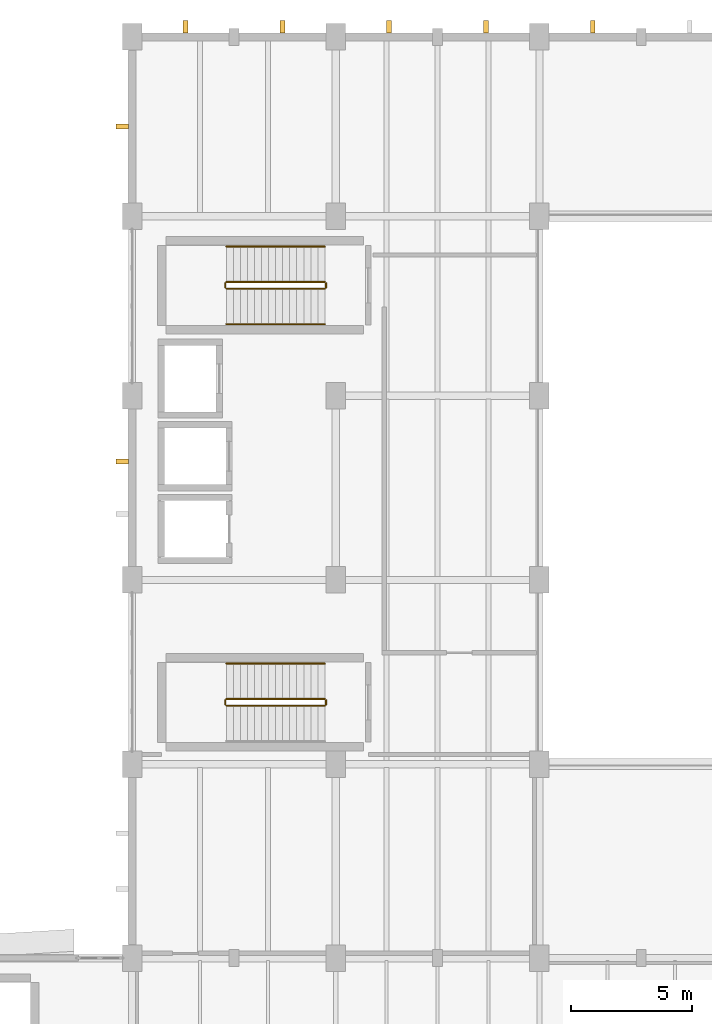
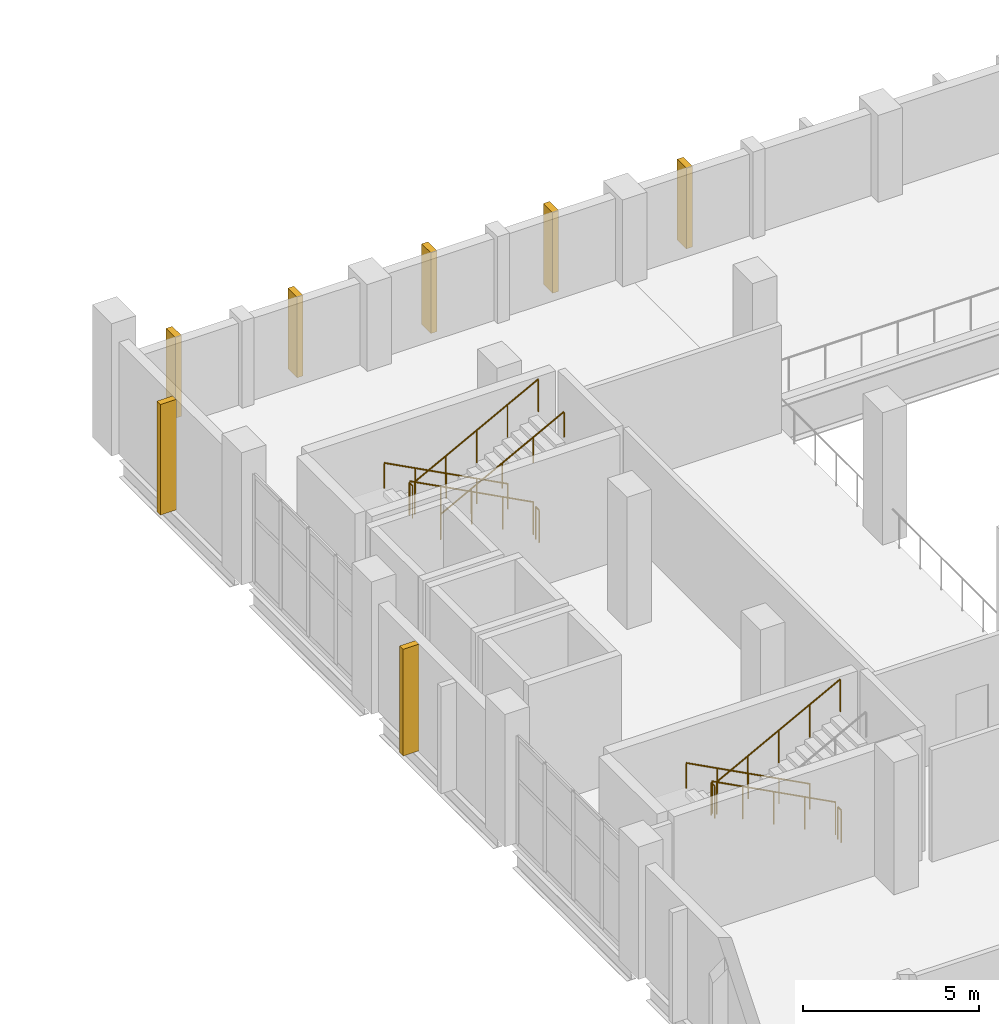
# One storey, part 68 of 74: 11 railings, 7 shading devices.
"""IFC4 building model written with IfcOpenShell, lengths in metres."""

from ifc_helpers import new_model, si_unit, direction, frame, origin, origin_2d, place, context, subcontext, project, spatial, rectangle, circle, extrude, material, layer, layer_set, type_object, element, save


model = new_model("IFC4")

# Units and contexts
model_context = context("Model", 3, precision=1e-05, world=origin(), true_north=direction((0.0, 1.0)))
body_context = subcontext(model_context, "Body", "Model", "MODEL_VIEW")
ifc_project = project(units=[si_unit("LENGTHUNIT", "METRE"), si_unit("AREAUNIT", "SQUARE_METRE"), si_unit("VOLUMEUNIT", "CUBIC_METRE"), si_unit("PLANEANGLEUNIT", "RADIAN"), si_unit("MASSUNIT", "GRAM", prefix="KILO")], contexts=[model_context])

# Site, building, storey
site_placement = place(None, origin())
site = spatial("IfcSite", under=ifc_project, at=site_placement, CompositionType="ELEMENT")
building_placement = place(site_placement, origin())
building = spatial("IfcBuilding", under=site, at=building_placement, Name="Shengluoqiao Park Theatre", CompositionType="ELEMENT")
storey_placement = place(building_placement, frame((0.0, 0.0, 14.60009765625)))
storey = spatial("IfcBuildingStorey", under=building, at=storey_placement, Name="L03", CompositionType="ELEMENT", Elevation=14.60009765625)

# Shading devices
ifc_material_1 = material(Name="Concrete C45", Category="concrete")
ifc_layer = layer(ifc_material_1, 0.199951171875, Name="Concrete C45")
ifc_layer_set = layer_set([ifc_layer], Name="Concrete C45")
shading_device_type = type_object("IfcShadingDeviceType", Name="ENV-FIN-520x200", PredefinedType="USERDEFINED", material=ifc_layer_set)
for number, where, z_axis, x_axis, name in (
    (1, (46.60009765625, 114.409912109375, 0.019775390625), (0.0, 0.0, 1.0), (0.0, 1.0, 0.0), "L03 Vertical Concrete Acoustic Rib 0045"),
    (2, (50.60009765625, 114.409912109375, 0.019775390625), (0.0, 0.0, 1.0), (0.0, 1.0, 0.0), "L03 Vertical Concrete Acoustic Rib 0046"),
    (3, (55.0, 114.409912109375, 0.019775390625), (0.0, 0.0, 1.0), (0.0, 1.0, 0.0), "L03 Vertical Concrete Acoustic Rib 0047"),
    (4, (59.0, 114.409912109375, 0.019775390625), (0.0, 0.0, 1.0), (0.0, 1.0, 0.0), "L03 Vertical Concrete Acoustic Rib 0048"),
    (5, (63.39990234375, 114.409912109375, 0.019775390625), (0.0, 0.0, 1.0), (0.0, 1.0, 0.0), "L03 Vertical Concrete Acoustic Rib 0049"),
):
    element("IfcShadingDevice", number, at=place(storey_placement, frame(where, z_axis=z_axis, x_axis=x_axis)), inside=storey, type_object=shading_device_type, Name=name, ObjectType="FIN", PredefinedType="USERDEFINED", context=body_context, shape_type="SweptSolid", body=[
        extrude(rectangle(XDim=0.52001953125, YDim=0.199951171875, at=origin_2d()), origin(), (0.0, 0.0, 1.0), 2.80810546875),
    ])
shading_device_1_placement = place(storey_placement, frame((43.989990234375, 96.48193359375, 0.02001953125), z_axis=(0.0, 0.0, 1.0), x_axis=(-1.0, 0.0, 0.0)))
element("IfcShadingDevice", 6, at=shading_device_1_placement, inside=storey, type_object=shading_device_type, Name="L03 Vertical Concrete Acoustic Rib 0058", ObjectType="FIN", PredefinedType="USERDEFINED", context=body_context, shape_type="SweptSolid", body=[
    extrude(rectangle(XDim=0.52001953125, YDim=0.199951171875, at=origin_2d()), origin(), (0.0, 0.0, 1.0), 3.7099609375),
])
shading_device_2_placement = place(storey_placement, frame((43.989990234375, 110.300048828125, 0.02001953125), z_axis=(0.0, 0.0, 1.0), x_axis=(-1.0, 0.0, 0.0)))
element("IfcShadingDevice", 7, at=shading_device_2_placement, inside=storey, type_object=shading_device_type, Name="L03 Vertical Concrete Acoustic Rib 0059", ObjectType="FIN", PredefinedType="USERDEFINED", context=body_context, shape_type="SweptSolid", body=[
    extrude(rectangle(XDim=0.52001953125, YDim=0.199951171875, at=origin_2d()), origin(), (0.0, 0.0, 1.0), 3.837890625),
])

# Railings
ifc_material_2 = material(Name="Painted steel", Category="steel")
railing_type_1 = type_object("IfcRailingType", Name="INT-RL-STGRD", PredefinedType="GUARDRAIL", material=ifc_material_2)
railing_1_placement = place(storey_placement, frame((52.35009765625, 86.68994140625, 0.1533203125)))
element("IfcRailing", 8, at=railing_1_placement, inside=storey, type_object=railing_type_1, Name="L03 ST-02 stair guard 1", PredefinedType="GUARDRAIL", context=body_context, shape_type="SweptSolid", body=[
    extrude(circle(Radius=0.02392578125, at=origin_2d()), frame((0.0, 0.0, 1.1259765625), z_axis=(-0.884054148832, 0.0, 0.467384490471), x_axis=(0.0, -1.0, 0.0)), (0.0, 0.0, 1.0), 4.592529296875),
    extrude(circle(Radius=0.02099609375, at=origin_2d()), origin(), (0.0, 0.0, 1.0), 1.101806640625),
    extrude(circle(Radius=0.02099609375, at=origin_2d()), frame((-1.01513671875, 0.0, 0.53662109375)), (0.0, 0.0, 1.0), 1.101806640625),
    extrude(circle(Radius=0.02099609375, at=origin_2d()), frame((-2.030029296875, 0.0, 1.0732421875)), (0.0, 0.0, 1.0), 1.101806640625),
    extrude(circle(Radius=0.02099609375, at=origin_2d()), frame((-3.044921875, 0.0, 1.60986328125)), (0.0, 0.0, 1.0), 1.101806640625),
    extrude(circle(Radius=0.02099609375, at=origin_2d()), frame((-4.06005859375, 0.0, 2.146484375)), (0.0, 0.0, 1.0), 1.101806640625),
])
railing_2_placement = place(storey_placement, frame((48.239990234375, 86.639892578125, 2.2998046875)))
element("IfcRailing", 9, at=railing_2_placement, inside=storey, type_object=railing_type_1, Name="L03 ST-02 stair guard 2", PredefinedType="GUARDRAIL", context=body_context, shape_type="SweptSolid", body=[
    extrude(circle(Radius=0.02392578125, at=origin_2d()), frame((0.0, 0.0, 1.1259765625), z_axis=(0.0, -1.0, 0.0), x_axis=(1.0, 0.0, 0.0)), (0.0, 0.0, 1.0), 0.179931640625),
    extrude(circle(Radius=0.02099609375, at=origin_2d()), origin(), (0.0, 0.0, 1.0), 1.101806640625),
    extrude(circle(Radius=0.02099609375, at=origin_2d()), frame((0.0, -0.179931640625, 0.0)), (0.0, 0.0, 1.0), 1.101806640625),
])
railing_3_placement = place(storey_placement, frame((48.2900390625, 86.409912109375, 2.453125)))
element("IfcRailing", 10, at=railing_3_placement, inside=storey, type_object=railing_type_1, Name="L03 ST-02 stair guard 3", PredefinedType="GUARDRAIL", context=body_context, shape_type="SweptSolid", body=[
    extrude(circle(Radius=0.02392578125, at=origin_2d()), frame((0.0, 0.0, 1.1259765625), z_axis=(0.884032182968, 0.0, 0.46742603637), x_axis=(0.0, 1.0, 0.0)), (0.0, 0.0, 1.0), 4.5927734375),
    extrude(circle(Radius=0.02099609375, at=origin_2d()), origin(), (0.0, 0.0, 1.0), 1.101806640625),
    extrude(circle(Radius=0.02099609375, at=origin_2d()), frame((1.01513671875, 0.0, 0.53662109375)), (0.0, 0.0, 1.0), 1.101806640625),
    extrude(circle(Radius=0.02099609375, at=origin_2d()), frame((2.030029296875, 0.0, 1.0732421875)), (0.0, 0.0, 1.0), 1.101806640625),
    extrude(circle(Radius=0.02099609375, at=origin_2d()), frame((3.044921875, 0.0, 1.610107421875)), (0.0, 0.0, 1.0), 1.101806640625),
    extrude(circle(Radius=0.02099609375, at=origin_2d()), frame((4.06005859375, 0.0, 2.146728515625)), (0.0, 0.0, 1.0), 1.101806640625),
])
railing_4_placement = place(storey_placement, frame((52.39990234375, 86.639892578125, 0.0)))
element("IfcRailing", 11, at=railing_4_placement, inside=storey, type_object=railing_type_1, Name="L03 ST-02 stair guard 4", PredefinedType="GUARDRAIL", context=body_context, shape_type="SweptSolid", body=[
    extrude(circle(Radius=0.02392578125, at=origin_2d()), frame((0.0, 0.0, 1.1259765625), z_axis=(0.0, -1.0, 0.0), x_axis=(1.0, 0.0, 0.0)), (0.0, 0.0, 1.0), 0.179931640625),
    extrude(circle(Radius=0.02099609375, at=origin_2d()), origin(), (0.0, 0.0, 1.0), 1.101806640625),
    extrude(circle(Radius=0.02099609375, at=origin_2d()), frame((0.0, -0.179931640625, 0.0)), (0.0, 0.0, 1.0), 1.101806640625),
])
railing_5_placement = place(storey_placement, frame((52.35009765625, 103.889892578125, 0.1533203125)))
element("IfcRailing", 12, at=railing_5_placement, inside=storey, type_object=railing_type_1, Name="L03 ST-03 stair guard 1", PredefinedType="GUARDRAIL", context=body_context, shape_type="SweptSolid", body=[
    extrude(circle(Radius=0.02392578125, at=origin_2d()), frame((0.0, 0.0, 1.1259765625), z_axis=(-0.884054148832, 0.0, 0.467384490471), x_axis=(0.0, -1.0, 0.0)), (0.0, 0.0, 1.0), 4.592529296875),
    extrude(circle(Radius=0.02099609375, at=origin_2d()), origin(), (0.0, 0.0, 1.0), 1.101806640625),
    extrude(circle(Radius=0.02099609375, at=origin_2d()), frame((-1.01513671875, 0.0, 0.53662109375)), (0.0, 0.0, 1.0), 1.101806640625),
    extrude(circle(Radius=0.02099609375, at=origin_2d()), frame((-2.030029296875, 0.0, 1.0732421875)), (0.0, 0.0, 1.0), 1.101806640625),
    extrude(circle(Radius=0.02099609375, at=origin_2d()), frame((-3.044921875, 0.0, 1.60986328125)), (0.0, 0.0, 1.0), 1.101806640625),
    extrude(circle(Radius=0.02099609375, at=origin_2d()), frame((-4.06005859375, 0.0, 2.146484375)), (0.0, 0.0, 1.0), 1.101806640625),
])
railing_6_placement = place(storey_placement, frame((48.239990234375, 103.840087890625, 2.2998046875)))
element("IfcRailing", 13, at=railing_6_placement, inside=storey, type_object=railing_type_1, Name="L03 ST-03 stair guard 2", PredefinedType="GUARDRAIL", context=body_context, shape_type="SweptSolid", body=[
    extrude(circle(Radius=0.02392578125, at=origin_2d()), frame((0.0, 0.0, 1.1259765625), z_axis=(0.0, -1.0, 0.0), x_axis=(1.0, 0.0, 0.0)), (0.0, 0.0, 1.0), 0.18017578125),
    extrude(circle(Radius=0.02099609375, at=origin_2d()), origin(), (0.0, 0.0, 1.0), 1.101806640625),
    extrude(circle(Radius=0.02099609375, at=origin_2d()), frame((0.0, -0.18017578125, 0.0)), (0.0, 0.0, 1.0), 1.101806640625),
])
railing_7_placement = place(storey_placement, frame((48.2900390625, 103.610107421875, 2.453125)))
element("IfcRailing", 14, at=railing_7_placement, inside=storey, type_object=railing_type_1, Name="L03 ST-03 stair guard 3", PredefinedType="GUARDRAIL", context=body_context, shape_type="SweptSolid", body=[
    extrude(circle(Radius=0.02392578125, at=origin_2d()), frame((0.0, 0.0, 1.1259765625), z_axis=(0.884032182968, 0.0, 0.46742603637), x_axis=(0.0, 1.0, 0.0)), (0.0, 0.0, 1.0), 4.5927734375),
    extrude(circle(Radius=0.02099609375, at=origin_2d()), origin(), (0.0, 0.0, 1.0), 1.101806640625),
    extrude(circle(Radius=0.02099609375, at=origin_2d()), frame((1.01513671875, 0.0, 0.53662109375)), (0.0, 0.0, 1.0), 1.101806640625),
    extrude(circle(Radius=0.02099609375, at=origin_2d()), frame((2.030029296875, 0.0, 1.0732421875)), (0.0, 0.0, 1.0), 1.101806640625),
    extrude(circle(Radius=0.02099609375, at=origin_2d()), frame((3.044921875, 0.0, 1.610107421875)), (0.0, 0.0, 1.0), 1.101806640625),
    extrude(circle(Radius=0.02099609375, at=origin_2d()), frame((4.06005859375, 0.0, 2.146728515625)), (0.0, 0.0, 1.0), 1.101806640625),
])
railing_8_placement = place(storey_placement, frame((52.39990234375, 103.840087890625, 0.0)))
element("IfcRailing", 15, at=railing_8_placement, inside=storey, type_object=railing_type_1, Name="L03 ST-03 stair guard 4", PredefinedType="GUARDRAIL", context=body_context, shape_type="SweptSolid", body=[
    extrude(circle(Radius=0.02392578125, at=origin_2d()), frame((0.0, 0.0, 1.1259765625), z_axis=(0.0, -1.0, 0.0), x_axis=(1.0, 0.0, 0.0)), (0.0, 0.0, 1.0), 0.18017578125),
    extrude(circle(Radius=0.02099609375, at=origin_2d()), origin(), (0.0, 0.0, 1.0), 1.101806640625),
    extrude(circle(Radius=0.02099609375, at=origin_2d()), frame((0.0, -0.18017578125, 0.0)), (0.0, 0.0, 1.0), 1.101806640625),
])
ifc_material_3 = material(Name="Stainless steel 304", Category="steel")
railing_type_2 = type_object("IfcRailingType", Name="INT-RL-STHR", PredefinedType="HANDRAIL", material=ifc_material_3)
for number, where, name in (
    (16, (52.35009765625, 88.14990234375, 0.1533203125), "L03 ST-02 stair handrail 1"),
    (17, (52.35009765625, 105.35009765625, 0.1533203125), "L03 ST-03 stair handrail 1"),
):
    element("IfcRailing", number, at=place(storey_placement, frame(where)), inside=storey, type_object=railing_type_2, Name=name, PredefinedType="HANDRAIL", context=body_context, shape_type="SweptSolid", body=[
        extrude(circle(Radius=0.02392578125, at=origin_2d()), frame((0.0, 0.0, 0.8759765625), z_axis=(-0.884054148832, 0.0, 0.467384490471), x_axis=(0.0, -1.0, 0.0)), (0.0, 0.0, 1.0), 4.592529296875),
        extrude(circle(Radius=0.02099609375, at=origin_2d()), origin(), (0.0, 0.0, 1.0), 0.851806640625),
        extrude(circle(Radius=0.02099609375, at=origin_2d()), frame((-1.01513671875, 0.0, 0.53662109375)), (0.0, 0.0, 1.0), 0.851806640625),
        extrude(circle(Radius=0.02099609375, at=origin_2d()), frame((-2.030029296875, 0.0, 1.0732421875)), (0.0, 0.0, 1.0), 0.851806640625),
        extrude(circle(Radius=0.02099609375, at=origin_2d()), frame((-3.044921875, 0.0, 1.60986328125)), (0.0, 0.0, 1.0), 0.851806640625),
        extrude(circle(Radius=0.02099609375, at=origin_2d()), frame((-4.06005859375, 0.0, 2.146484375)), (0.0, 0.0, 1.0), 0.851806640625),
    ])
railing_9_placement = place(storey_placement, frame((48.2900390625, 102.14990234375, 2.453125)))
element("IfcRailing", 18, at=railing_9_placement, inside=storey, type_object=railing_type_2, Name="L03 ST-03 stair handrail 2", PredefinedType="HANDRAIL", context=body_context, shape_type="SweptSolid", body=[
    extrude(circle(Radius=0.02392578125, at=origin_2d()), frame((0.0, 0.0, 0.8759765625), z_axis=(0.884032182968, 0.0, 0.46742603637), x_axis=(0.0, 1.0, 0.0)), (0.0, 0.0, 1.0), 4.5927734375),
    extrude(circle(Radius=0.02099609375, at=origin_2d()), origin(), (0.0, 0.0, 1.0), 0.851806640625),
    extrude(circle(Radius=0.02099609375, at=origin_2d()), frame((1.01513671875, 0.0, 0.53662109375)), (0.0, 0.0, 1.0), 0.851806640625),
    extrude(circle(Radius=0.02099609375, at=origin_2d()), frame((2.030029296875, 0.0, 1.0732421875)), (0.0, 0.0, 1.0), 0.851806640625),
    extrude(circle(Radius=0.02099609375, at=origin_2d()), frame((3.044921875, 0.0, 1.610107421875)), (0.0, 0.0, 1.0), 0.851806640625),
    extrude(circle(Radius=0.02099609375, at=origin_2d()), frame((4.06005859375, 0.0, 2.146728515625)), (0.0, 0.0, 1.0), 0.851806640625),
])

save(model, "model.ifc")
